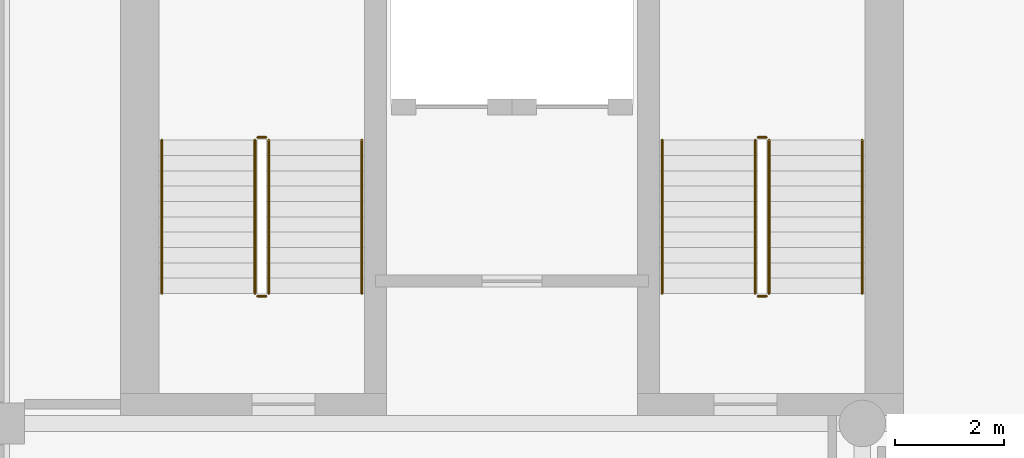
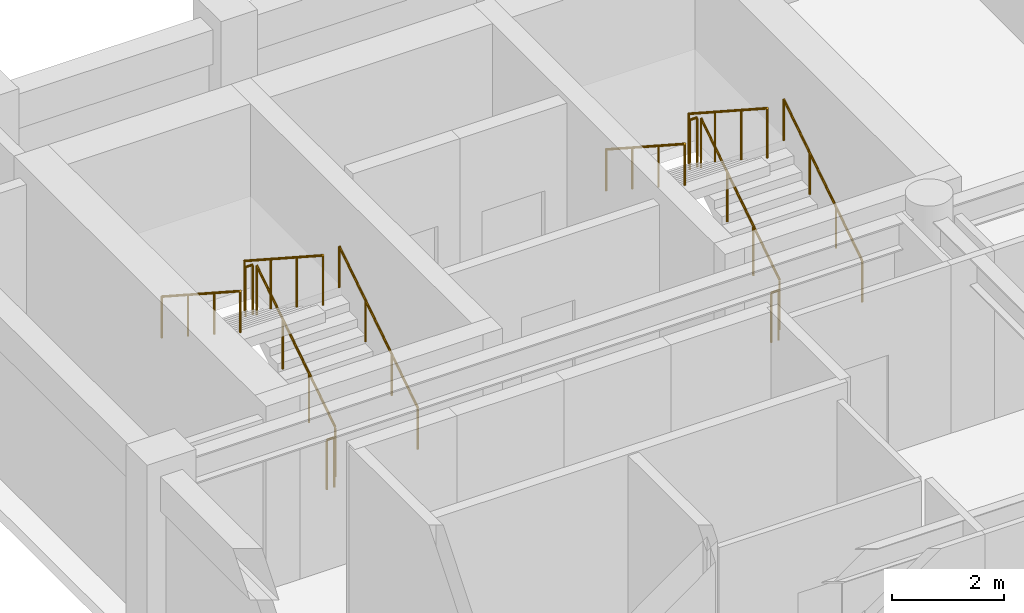
# One storey, part 7 of 8: 12 railings.
"""IFC4 building model written with IfcOpenShell, lengths in metres."""

from ifc_helpers import new_model, si_unit, direction, frame, origin, origin_2d, place, context, subcontext, project, spatial, circle, extrude, material, type_object, element, save


model = new_model("IFC4")

# Units and contexts
model_context = context("Model", 3, precision=1e-05, world=origin(), true_north=direction((0.0, 1.0)))
body_context = subcontext(model_context, "Body", "Model", "MODEL_VIEW")
ifc_project = project(units=[si_unit("LENGTHUNIT", "METRE"), si_unit("AREAUNIT", "SQUARE_METRE"), si_unit("VOLUMEUNIT", "CUBIC_METRE"), si_unit("PLANEANGLEUNIT", "RADIAN"), si_unit("MASSUNIT", "GRAM", prefix="KILO")], contexts=[model_context])

# Site, building, storey
site_placement = place(None, origin())
site = spatial("IfcSite", under=ifc_project, at=site_placement, CompositionType="ELEMENT")
building_placement = place(site_placement, origin())
building = spatial("IfcBuilding", under=site, at=building_placement, Name="Sulina Concourse Tower", CompositionType="ELEMENT")
storey_placement = place(building_placement, frame((0.0, 0.0, 234.60009765625)))
storey = spatial("IfcBuildingStorey", under=building, at=storey_placement, Name="L57", CompositionType="ELEMENT", Elevation=234.60009765625)

# Railings
ifc_material_1 = material(Name="Galvanised steel railing", Category="steel")
railing_type_1 = type_object("IfcRailingType", Name="Core Stair Steel Guardrail 1150mm", PredefinedType="GUARDRAIL", material=ifc_material_1)
railing_1_placement = place(storey_placement, frame((5.554931640625, 36.375, 0.181640625)))
element("IfcRailing", 1, at=railing_1_placement, inside=storey, type_object=railing_type_1, Name="L57 ST-1 stair guard 1", PredefinedType="GUARDRAIL", context=body_context, shape_type="SweptSolid", body=[
    extrude(circle(Radius=0.02392578125, at=origin_2d()), frame((0.0, 0.0, 1.076171875), z_axis=(0.0, 0.838672427954, 0.544636170843), x_axis=(-1.0, 0.0, 0.0)), (0.0, 0.0, 1.0), 3.338623046875),
    extrude(circle(Radius=0.02099609375, at=origin_2d()), origin(), (0.0, 0.0, 1.0), 1.052001953125),
    extrude(circle(Radius=0.02099609375, at=origin_2d()), frame((0.0, 0.933349609375, 0.606201171875)), (0.0, 0.0, 1.0), 1.052001953125),
    extrude(circle(Radius=0.02099609375, at=origin_2d()), frame((0.0, 1.86669921875, 1.212158203125)), (0.0, 0.0, 1.0), 1.052001953125),
    extrude(circle(Radius=0.02099609375, at=origin_2d()), frame((0.0, 2.800048828125, 1.818359375)), (0.0, 0.0, 1.0), 1.052001953125),
])
railing_2_placement = place(storey_placement, frame((5.5048828125, 39.22509765625, 2.0)))
element("IfcRailing", 2, at=railing_2_placement, inside=storey, type_object=railing_type_1, Name="L57 ST-1 stair guard 2", PredefinedType="GUARDRAIL", context=body_context, shape_type="SweptSolid", body=[
    extrude(circle(Radius=0.02392578125, at=origin_2d()), frame((0.0, 0.0, 1.076171875), z_axis=(-1.0, 0.0, 0.0), x_axis=(0.0, -1.0, 0.0)), (0.0, 0.0, 1.0), 0.14990234375),
    extrude(circle(Radius=0.02099609375, at=origin_2d()), origin(), (0.0, 0.0, 1.0), 1.052001953125),
    extrude(circle(Radius=0.02099609375, at=origin_2d()), frame((-0.14990234375, 0.0, 0.0)), (0.0, 0.0, 1.0), 1.052001953125),
])
railing_3_placement = place(storey_placement, frame((5.304931640625, 39.175048828125, 2.181640625)))
element("IfcRailing", 3, at=railing_3_placement, inside=storey, type_object=railing_type_1, Name="L57 ST-1 stair guard 3", PredefinedType="GUARDRAIL", context=body_context, shape_type="SweptSolid", body=[
    extrude(circle(Radius=0.02392578125, at=origin_2d()), frame((0.0, 0.0, 1.076171875), z_axis=(0.0, -0.838672427954, 0.544636170843), x_axis=(1.0, 0.0, 0.0)), (0.0, 0.0, 1.0), 3.338623046875),
    extrude(circle(Radius=0.02099609375, at=origin_2d()), origin(), (0.0, 0.0, 1.0), 1.052001953125),
    extrude(circle(Radius=0.02099609375, at=origin_2d()), frame((0.0, -0.933349609375, 0.606201171875)), (0.0, 0.0, 1.0), 1.052001953125),
    extrude(circle(Radius=0.02099609375, at=origin_2d()), frame((0.0, -1.86669921875, 1.212158203125)), (0.0, 0.0, 1.0), 1.052001953125),
    extrude(circle(Radius=0.02099609375, at=origin_2d()), frame((0.0, -2.800048828125, 1.818359375)), (0.0, 0.0, 1.0), 1.052001953125),
])
railing_4_placement = place(storey_placement, frame((5.5048828125, 36.324951171875, 0.0)))
element("IfcRailing", 4, at=railing_4_placement, inside=storey, type_object=railing_type_1, Name="L57 ST-1 stair guard 4", PredefinedType="GUARDRAIL", context=body_context, shape_type="SweptSolid", body=[
    extrude(circle(Radius=0.02392578125, at=origin_2d()), frame((0.0, 0.0, 1.076171875), z_axis=(-1.0, 0.0, 0.0), x_axis=(0.0, -1.0, 0.0)), (0.0, 0.0, 1.0), 0.14990234375),
    extrude(circle(Radius=0.02099609375, at=origin_2d()), origin(), (0.0, 0.0, 1.0), 1.052001953125),
    extrude(circle(Radius=0.02099609375, at=origin_2d()), frame((-0.14990234375, 0.0, 0.0)), (0.0, 0.0, 1.0), 1.052001953125),
])
railing_5_placement = place(storey_placement, frame((14.695068359375, 36.375, 0.181640625)))
element("IfcRailing", 5, at=railing_5_placement, inside=storey, type_object=railing_type_1, Name="L57 ST-2 stair guard 1", PredefinedType="GUARDRAIL", context=body_context, shape_type="SweptSolid", body=[
    extrude(circle(Radius=0.02392578125, at=origin_2d()), frame((0.0, 0.0, 1.076171875), z_axis=(0.0, 0.838672427954, 0.544636170843), x_axis=(-1.0, 0.0, 0.0)), (0.0, 0.0, 1.0), 3.338623046875),
    extrude(circle(Radius=0.02099609375, at=origin_2d()), origin(), (0.0, 0.0, 1.0), 1.052001953125),
    extrude(circle(Radius=0.02099609375, at=origin_2d()), frame((0.0, 0.933349609375, 0.606201171875)), (0.0, 0.0, 1.0), 1.052001953125),
    extrude(circle(Radius=0.02099609375, at=origin_2d()), frame((0.0, 1.86669921875, 1.212158203125)), (0.0, 0.0, 1.0), 1.052001953125),
    extrude(circle(Radius=0.02099609375, at=origin_2d()), frame((0.0, 2.800048828125, 1.818359375)), (0.0, 0.0, 1.0), 1.052001953125),
])
railing_6_placement = place(storey_placement, frame((14.64501953125, 39.22509765625, 2.0)))
element("IfcRailing", 6, at=railing_6_placement, inside=storey, type_object=railing_type_1, Name="L57 ST-2 stair guard 2", PredefinedType="GUARDRAIL", context=body_context, shape_type="SweptSolid", body=[
    extrude(circle(Radius=0.02392578125, at=origin_2d()), frame((0.0, 0.0, 1.076171875), z_axis=(-1.0, 0.0, 0.0), x_axis=(0.0, -1.0, 0.0)), (0.0, 0.0, 1.0), 0.14990234375),
    extrude(circle(Radius=0.02099609375, at=origin_2d()), origin(), (0.0, 0.0, 1.0), 1.052001953125),
    extrude(circle(Radius=0.02099609375, at=origin_2d()), frame((-0.14990234375, 0.0, 0.0)), (0.0, 0.0, 1.0), 1.052001953125),
])
railing_7_placement = place(storey_placement, frame((14.445068359375, 39.175048828125, 2.181640625)))
element("IfcRailing", 7, at=railing_7_placement, inside=storey, type_object=railing_type_1, Name="L57 ST-2 stair guard 3", PredefinedType="GUARDRAIL", context=body_context, shape_type="SweptSolid", body=[
    extrude(circle(Radius=0.02392578125, at=origin_2d()), frame((0.0, 0.0, 1.076171875), z_axis=(0.0, -0.838672427954, 0.544636170843), x_axis=(1.0, 0.0, 0.0)), (0.0, 0.0, 1.0), 3.338623046875),
    extrude(circle(Radius=0.02099609375, at=origin_2d()), origin(), (0.0, 0.0, 1.0), 1.052001953125),
    extrude(circle(Radius=0.02099609375, at=origin_2d()), frame((0.0, -0.933349609375, 0.606201171875)), (0.0, 0.0, 1.0), 1.052001953125),
    extrude(circle(Radius=0.02099609375, at=origin_2d()), frame((0.0, -1.86669921875, 1.212158203125)), (0.0, 0.0, 1.0), 1.052001953125),
    extrude(circle(Radius=0.02099609375, at=origin_2d()), frame((0.0, -2.800048828125, 1.818359375)), (0.0, 0.0, 1.0), 1.052001953125),
])
railing_8_placement = place(storey_placement, frame((14.64501953125, 36.324951171875, 0.0)))
element("IfcRailing", 8, at=railing_8_placement, inside=storey, type_object=railing_type_1, Name="L57 ST-2 stair guard 4", PredefinedType="GUARDRAIL", context=body_context, shape_type="SweptSolid", body=[
    extrude(circle(Radius=0.02392578125, at=origin_2d()), frame((0.0, 0.0, 1.076171875), z_axis=(-1.0, 0.0, 0.0), x_axis=(0.0, -1.0, 0.0)), (0.0, 0.0, 1.0), 0.14990234375),
    extrude(circle(Radius=0.02099609375, at=origin_2d()), origin(), (0.0, 0.0, 1.0), 1.052001953125),
    extrude(circle(Radius=0.02099609375, at=origin_2d()), frame((-0.14990234375, 0.0, 0.0)), (0.0, 0.0, 1.0), 1.052001953125),
])
ifc_material_2 = material(Name="Galvanised steel railing", Category="steel")
railing_type_2 = type_object("IfcRailingType", Name="Stair Wall Steel Handrail 920mm", PredefinedType="HANDRAIL", material=ifc_material_2)
railing_9_placement = place(storey_placement, frame((7.2548828125, 36.375, 0.181640625)))
element("IfcRailing", 9, at=railing_9_placement, inside=storey, type_object=railing_type_2, Name="L57 ST-1 stair handrail 1", PredefinedType="HANDRAIL", context=body_context, shape_type="SweptSolid", body=[
    extrude(circle(Radius=0.02392578125, at=origin_2d()), frame((0.0, 0.0, 0.89599609375), z_axis=(0.0, 0.838672427954, 0.544636170843), x_axis=(-1.0, 0.0, 0.0)), (0.0, 0.0, 1.0), 3.338623046875),
    extrude(circle(Radius=0.02099609375, at=origin_2d()), origin(), (0.0, 0.0, 1.0), 0.871826171875),
    extrude(circle(Radius=0.02099609375, at=origin_2d()), frame((0.0, 0.933349609375, 0.606201171875)), (0.0, 0.0, 1.0), 0.871826171875),
    extrude(circle(Radius=0.02099609375, at=origin_2d()), frame((0.0, 1.86669921875, 1.212158203125)), (0.0, 0.0, 1.0), 0.871826171875),
    extrude(circle(Radius=0.02099609375, at=origin_2d()), frame((0.0, 2.800048828125, 1.818359375)), (0.0, 0.0, 1.0), 0.871826171875),
])
railing_10_placement = place(storey_placement, frame((3.60498046875, 39.175048828125, 2.181640625)))
element("IfcRailing", 10, at=railing_10_placement, inside=storey, type_object=railing_type_2, Name="L57 ST-1 stair handrail 2", PredefinedType="HANDRAIL", context=body_context, shape_type="SweptSolid", body=[
    extrude(circle(Radius=0.02392578125, at=origin_2d()), frame((0.0, 0.0, 0.89599609375), z_axis=(0.0, -0.838672427954, 0.544636170843), x_axis=(1.0, 0.0, 0.0)), (0.0, 0.0, 1.0), 3.338623046875),
    extrude(circle(Radius=0.02099609375, at=origin_2d()), origin(), (0.0, 0.0, 1.0), 0.871826171875),
    extrude(circle(Radius=0.02099609375, at=origin_2d()), frame((0.0, -0.933349609375, 0.606201171875)), (0.0, 0.0, 1.0), 0.871826171875),
    extrude(circle(Radius=0.02099609375, at=origin_2d()), frame((0.0, -1.86669921875, 1.212158203125)), (0.0, 0.0, 1.0), 0.871826171875),
    extrude(circle(Radius=0.02099609375, at=origin_2d()), frame((0.0, -2.800048828125, 1.818359375)), (0.0, 0.0, 1.0), 0.871826171875),
])
railing_11_placement = place(storey_placement, frame((16.39501953125, 36.375, 0.181640625)))
element("IfcRailing", 11, at=railing_11_placement, inside=storey, type_object=railing_type_2, Name="L57 ST-2 stair handrail 1", PredefinedType="HANDRAIL", context=body_context, shape_type="SweptSolid", body=[
    extrude(circle(Radius=0.02392578125, at=origin_2d()), frame((0.0, 0.0, 0.89599609375), z_axis=(0.0, 0.838672427954, 0.544636170843), x_axis=(-1.0, 0.0, 0.0)), (0.0, 0.0, 1.0), 3.338623046875),
    extrude(circle(Radius=0.02099609375, at=origin_2d()), origin(), (0.0, 0.0, 1.0), 0.871826171875),
    extrude(circle(Radius=0.02099609375, at=origin_2d()), frame((0.0, 0.933349609375, 0.606201171875)), (0.0, 0.0, 1.0), 0.871826171875),
    extrude(circle(Radius=0.02099609375, at=origin_2d()), frame((0.0, 1.86669921875, 1.212158203125)), (0.0, 0.0, 1.0), 0.871826171875),
    extrude(circle(Radius=0.02099609375, at=origin_2d()), frame((0.0, 2.800048828125, 1.818359375)), (0.0, 0.0, 1.0), 0.871826171875),
])
railing_12_placement = place(storey_placement, frame((12.7451171875, 39.175048828125, 2.181640625)))
element("IfcRailing", 12, at=railing_12_placement, inside=storey, type_object=railing_type_2, Name="L57 ST-2 stair handrail 2", PredefinedType="HANDRAIL", context=body_context, shape_type="SweptSolid", body=[
    extrude(circle(Radius=0.02392578125, at=origin_2d()), frame((0.0, 0.0, 0.89599609375), z_axis=(0.0, -0.838672427954, 0.544636170843), x_axis=(1.0, 0.0, 0.0)), (0.0, 0.0, 1.0), 3.338623046875),
    extrude(circle(Radius=0.02099609375, at=origin_2d()), origin(), (0.0, 0.0, 1.0), 0.871826171875),
    extrude(circle(Radius=0.02099609375, at=origin_2d()), frame((0.0, -0.933349609375, 0.606201171875)), (0.0, 0.0, 1.0), 0.871826171875),
    extrude(circle(Radius=0.02099609375, at=origin_2d()), frame((0.0, -1.86669921875, 1.212158203125)), (0.0, 0.0, 1.0), 0.871826171875),
    extrude(circle(Radius=0.02099609375, at=origin_2d()), frame((0.0, -2.800048828125, 1.818359375)), (0.0, 0.0, 1.0), 0.871826171875),
])

save(model, "model.ifc")
